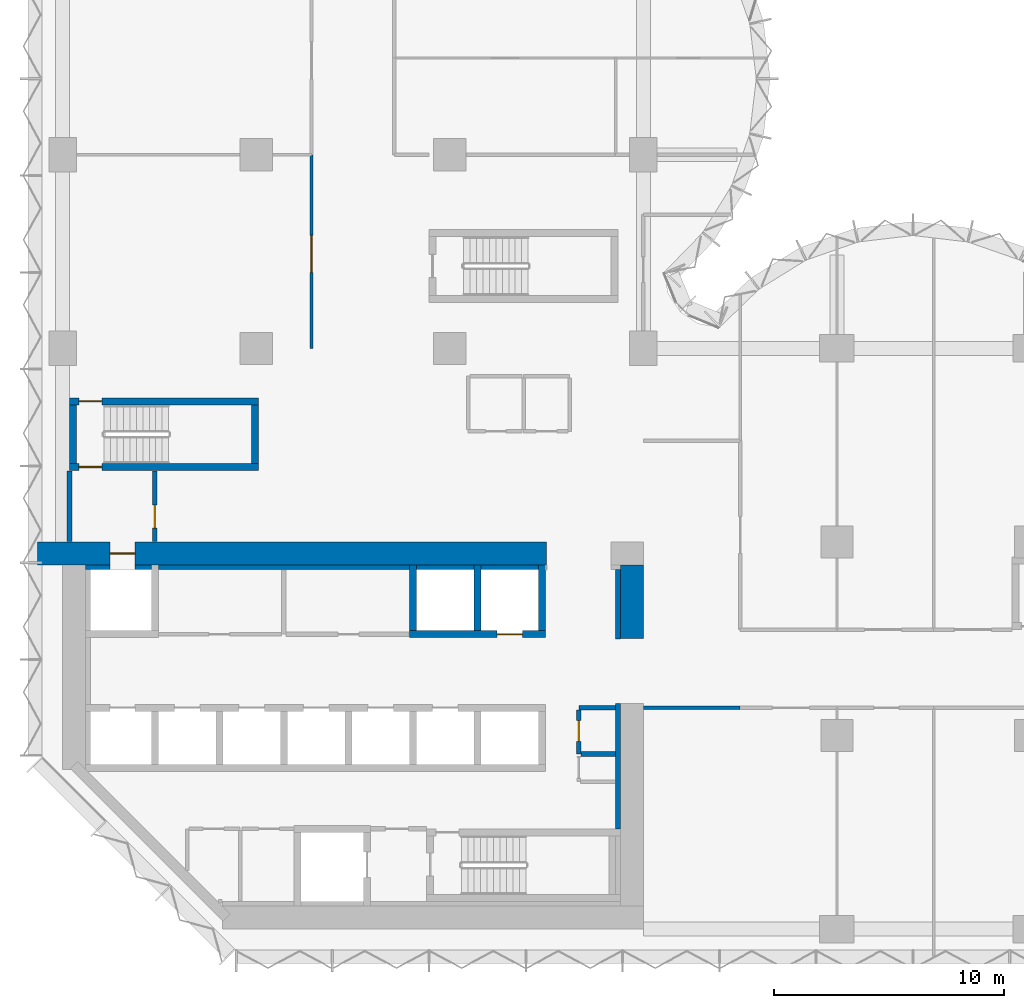
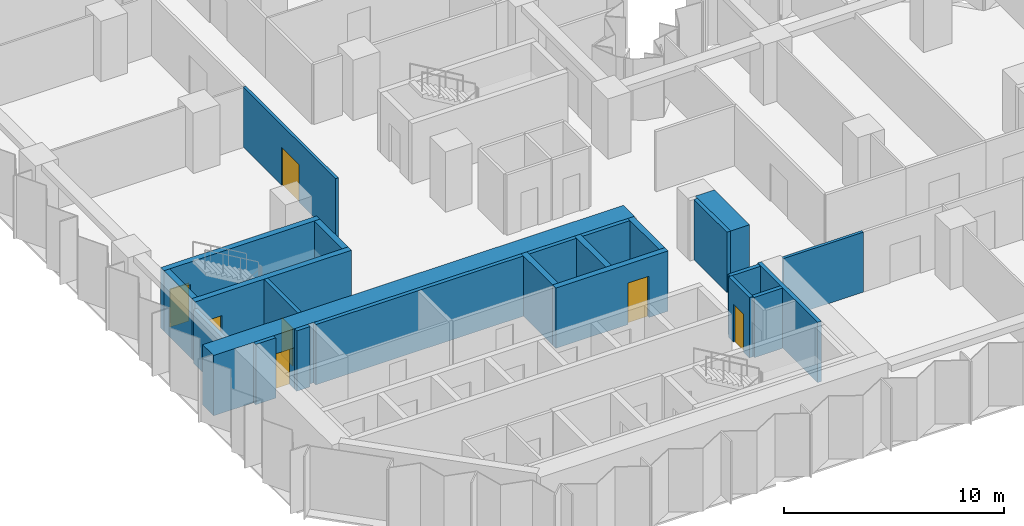
# One storey, part 8 of 15: 24 walls, 7 doors, 7 openings.
"""IFC4 building model written with IfcOpenShell, lengths in metres."""

from ifc_helpers import new_model, si_unit, direction, frame, frame_2d, origin, place, context, subcontext, project, spatial, rectangle, extrude, material, layer, layer_set, type_object, element, fill, save


model = new_model("IFC4")

# Units and contexts
model_context = context("Model", 3, precision=1e-05, world=origin(), true_north=direction((0.0, 1.0)))
body_context = subcontext(model_context, "Body", "Model", "MODEL_VIEW")
ifc_project = project(units=[si_unit("LENGTHUNIT", "METRE"), si_unit("AREAUNIT", "SQUARE_METRE"), si_unit("VOLUMEUNIT", "CUBIC_METRE"), si_unit("PLANEANGLEUNIT", "RADIAN"), si_unit("MASSUNIT", "GRAM", prefix="KILO")], contexts=[model_context])

# Site, building, storey
site_placement = place(None, origin())
site = spatial("IfcSite", under=ifc_project, at=site_placement, CompositionType="ELEMENT")
building_placement = place(site_placement, origin())
building = spatial("IfcBuilding", under=site, at=building_placement, Name="Brevane Broadcast Tower", CompositionType="ELEMENT")
storey_placement = place(building_placement, frame((0.0, 0.0, 76.10009765625)))
storey = spatial("IfcBuildingStorey", under=building, at=storey_placement, Name="L17", CompositionType="ELEMENT", Elevation=76.10009765625)

# Walls
ifc_material_1 = material(Name="Concrete C32/40", Category="concrete")
ifc_layer_1 = layer(ifc_material_1, 0.199951171875)
ifc_layer_set_1 = layer_set([ifc_layer_1], Name="Core chase wall 200 mm")
wall_type_1 = type_object("IfcWallType", Name="Core chase wall 200 mm", PredefinedType="PARTITIONING", material=ifc_layer_set_1)
wall_1_placement = place(storey_placement, frame((24.10009765625, 12.60009765625, 0.0), z_axis=(0.0, 0.0, 1.0), x_axis=(0.0, 1.0, 0.0)))
element("IfcWall", 1, at=wall_1_placement, inside=storey, type_object=wall_type_1, Name="L17 chase wall LE2", PredefinedType="PARTITIONING", context=body_context, shape_type="SweptSolid", body=[
    extrude(rectangle(XDim=3.0, YDim=0.199951171875, at=frame_2d((1.5, 0.0))), origin(), (0.0, 0.0, 1.0), 3.349853515625),
])
wall_2_placement = place(storey_placement, frame((1.0, 15.699951171875, 0.0), z_axis=(0.0, 0.0, 1.0), x_axis=(1.0, 0.0, 0.0)))
element("IfcWall", 2, at=wall_2_placement, inside=storey, type_object=wall_type_1, Name="L17 chase wall LN0", PredefinedType="PARTITIONING", context=body_context, shape_type="SweptSolid", body=[
    extrude(rectangle(XDim=1.050048828125, YDim=0.199951171875, at=frame_2d((0.52490234375, 0.0))), origin(), (0.0, 0.0, 1.0), 3.349853515625),
])
wall_3_placement = place(storey_placement, frame((3.14990234375, 15.699951171875, 0.0), z_axis=(0.0, 0.0, 1.0), x_axis=(1.0, 0.0, 0.0)))
element("IfcWall", 3, at=wall_3_placement, inside=storey, type_object=wall_type_1, Name="L17 chase wall LN1-1", PredefinedType="PARTITIONING", context=body_context, shape_type="SweptSolid", body=[
    extrude(rectangle(XDim=0.7001953125, YDim=0.199951171875, at=frame_2d((0.35009765625, 0.0))), origin(), (0.0, 0.0, 1.0), 3.349853515625),
])
wall_4_placement = place(storey_placement, frame((4.14990234375, 15.699951171875, 0.0), z_axis=(0.0, 0.0, 1.0), x_axis=(1.0, 0.0, 0.0)))
element("IfcWall", 4, at=wall_4_placement, inside=storey, type_object=wall_type_1, Name="L17 chase wall LN1-2-1", PredefinedType="PARTITIONING", context=body_context, shape_type="SweptSolid", body=[
    extrude(rectangle(XDim=10.900146484375, YDim=0.199951171875, at=frame_2d((5.4501953125, 0.0))), origin(), (0.0, 0.0, 1.0), 3.349853515625),
])
for number, where, z_axis, x_axis, name in (
    (5, (15.35009765625, 15.699951171875, 0.0), (0.0, 0.0, 1.0), (1.0, 0.0, 0.0), "L17 chase wall LN1-2-2-1"),
    (6, (18.14990234375, 15.699951171875, 0.0), (0.0, 0.0, 1.0), (1.0, 0.0, 0.0), "L17 chase wall LN1-2-2-2-1"),
):
    element("IfcWall", number, at=place(storey_placement, frame(where, z_axis=z_axis, x_axis=x_axis)), inside=storey, type_object=wall_type_1, Name=name, PredefinedType="PARTITIONING", context=body_context, shape_type="SweptSolid", body=[
        extrude(rectangle(XDim=2.5, YDim=0.199951171875, at=frame_2d((1.25, 0.0))), origin(), (0.0, 0.0, 1.0), 3.349853515625),
    ])
wall_5_placement = place(storey_placement, frame((24.10009765625, 4.35009765625, 0.0), z_axis=(0.0, 0.0, 1.0), x_axis=(0.0, 1.0, 0.0)))
element("IfcWall", 7, at=wall_5_placement, inside=storey, type_object=wall_type_1, Name="L17 chase wall LE1-2-2", PredefinedType="PARTITIONING", context=body_context, shape_type="SweptSolid", body=[
    extrude(rectangle(XDim=5.449951171875, YDim=0.199951171875, at=frame_2d((2.72509765625, 0.0))), origin(), (0.0, 0.0, 1.0), 3.349853515625),
])
ifc_material_2 = material(Name="Gypsum board on steel studs", Category="steel")
ifc_layer_2 = layer(ifc_material_2, 0.199951171875)
ifc_layer_set_2 = layer_set([ifc_layer_2], Name="Core fire partition 200 mm")
wall_type_2 = type_object("IfcWallType", Name="Core fire partition 200 mm", PredefinedType="PARTITIONING", material=ifc_layer_set_2)
wall_6_placement = place(storey_placement, frame((0.300048828125, 16.81201171875, 0.0), z_axis=(0.0, 0.0, 1.0), x_axis=(0.0, 1.0, 0.0)))
element("IfcWall", 8, at=wall_6_placement, inside=storey, type_object=wall_type_2, Name="L17 partition wall P01", PredefinedType="PARTITIONING", context=body_context, shape_type="SweptSolid", body=[
    extrude(rectangle(XDim=3.075927734375, YDim=0.199951171875, at=frame_2d((1.5380859375, 0.0))), origin(), (0.0, 0.0, 1.0), 2.97998046875),
])

# Wall, opening, door
wall_7_placement = place(storey_placement, frame((4.0, 19.887939453125, 0.0), z_axis=(0.0, 0.0, 1.0), x_axis=(0.0, -1.0, 0.0)))
wall_7 = element("IfcWall", 9, at=wall_7_placement, inside=storey, type_object=wall_type_2, Name="L17 partition wall P02", PredefinedType="PARTITIONING", context=body_context, shape_type="SweptSolid", body=[
    extrude(rectangle(XDim=3.075927734375, YDim=0.199951171875, at=frame_2d((1.5380859375, 0.0))), origin(), (0.0, 0.0, 1.0), 3.349853515625),
])
opening_1_placement = place(wall_7_placement, frame((1.488037109375, 0.0, 0.0)))
opening_1 = element("IfcOpeningElement", 10, at=opening_1_placement, cuts=wall_7, Name="Opening L17-K23", PredefinedType="OPENING", context=body_context, shape_type="SweptSolid", body=[
    extrude(rectangle(XDim=1.0, YDim=2.10009765625, at=frame_2d((0.5, 1.050048828125))), frame((0.0, 0.10986328125, 0.0), z_axis=(0.0, -1.0, 0.0), x_axis=(1.0, 0.0, 0.0)), (0.0, 0.0, 1.0), 0.219970703125),
])
ifc_material_3 = material(Name="Steel", Category="steel")
door_type_1 = type_object("IfcDoorType", Name="Stair door 1000 x 2100", OperationType="SINGLE_SWING_LEFT", PredefinedType="DOOR", material=ifc_material_3)
door_1_placement = place(opening_1_placement, origin())
door_1 = element("IfcDoor", 11, at=door_1_placement, inside=storey, type_object=door_type_1, Name="Door L17-K23", OperationType="SINGLE_SWING_LEFT", OverallHeight=2.10009765625, OverallWidth=1.0, PredefinedType="DOOR", context=body_context, shape_type="SweptSolid", body=[
    extrude(rectangle(XDim=1.0, YDim=2.10009765625, at=frame_2d((0.5, 1.050048828125))), frame((0.0, 0.02490234375, 0.0), z_axis=(0.0, -1.0, 0.0), x_axis=(1.0, 0.0, 0.0)), (0.0, 0.0, 1.0), 0.050048828125),
])
fill(opening_1, door_1)

# Wall
wall_8_placement = place(storey_placement, frame((23.988037109375, 9.60009765625, 0.0), z_axis=(0.0, 0.0, 1.0), x_axis=(-1.0, 0.0, 0.0)))
element("IfcWall", 12, at=wall_8_placement, inside=storey, type_object=wall_type_2, Name="L17 partition wall P06", PredefinedType="PARTITIONING", context=body_context, shape_type="SweptSolid", body=[
    extrude(rectangle(XDim=1.588134765625, YDim=0.199951171875, at=frame_2d((0.7939453125, 0.0))), origin(), (0.0, 0.0, 1.0), 3.349853515625),
])

# Wall, opening, door
wall_9_placement = place(storey_placement, frame((22.39990234375, 9.5, 0.0), z_axis=(0.0, 0.0, 1.0), x_axis=(0.0, -1.0, 0.0)))
wall_9 = element("IfcWall", 13, at=wall_9_placement, inside=storey, type_object=wall_type_2, Name="L17 partition wall P07", PredefinedType="PARTITIONING", context=body_context, shape_type="SweptSolid", body=[
    extrude(rectangle(XDim=1.89990234375, YDim=0.199951171875, at=frame_2d((0.949951171875, 0.0))), origin(), (0.0, 0.0, 1.0), 3.349853515625),
])
opening_2_placement = place(wall_9_placement, frame((0.449951171875, 0.0, 0.0)))
opening_2 = element("IfcOpeningElement", 14, at=opening_2_placement, cuts=wall_9, Name="Opening L17-K20", PredefinedType="OPENING", context=body_context, shape_type="SweptSolid", body=[
    extrude(rectangle(XDim=0.89990234375, YDim=2.10009765625, at=frame_2d((0.449951171875, 1.050048828125))), frame((0.0, 0.10986328125, 0.0), z_axis=(0.0, -1.0, 0.0), x_axis=(1.0, 0.0, 0.0)), (0.0, 0.0, 1.0), 0.219970703125),
])
door_type_2 = type_object("IfcDoorType", Name="Service room door 900 x 2100", OperationType="SINGLE_SWING_LEFT", PredefinedType="DOOR", material=ifc_material_3)
door_2_placement = place(opening_2_placement, origin())
door_2 = element("IfcDoor", 15, at=door_2_placement, inside=storey, type_object=door_type_2, Name="Door L17-K20", OperationType="SINGLE_SWING_RIGHT", OverallHeight=2.10009765625, OverallWidth=0.89990234375, PredefinedType="DOOR", context=body_context, shape_type="SweptSolid", body=[
    extrude(rectangle(XDim=0.89990234375, YDim=2.10009765625, at=frame_2d((0.449951171875, 1.050048828125))), frame((0.0, 0.02490234375, 0.0), z_axis=(0.0, -1.0, 0.0), x_axis=(1.0, 0.0, 0.0)), (0.0, 0.0, 1.0), 0.050048828125),
])
fill(opening_2, door_2)

# Wall
wall_10_placement = place(storey_placement, frame((22.5, 7.60009765625, 0.0), z_axis=(0.0, 0.0, 1.0), x_axis=(1.0, 0.0, 0.0)))
element("IfcWall", 16, at=wall_10_placement, inside=storey, type_object=wall_type_2, Name="L17 partition wall P08", PredefinedType="PARTITIONING", context=body_context, shape_type="SweptSolid", body=[
    extrude(rectangle(XDim=1.488037109375, YDim=0.199951171875, at=frame_2d((0.744140625, 0.0))), origin(), (0.0, 0.0, 1.0), 3.349853515625),
])

# Wall, opening, door
ifc_material_4 = material(Name="Concrete C80/95", Category="concrete")
ifc_layer_3 = layer(ifc_material_4, 1.0)
ifc_layer_set_3 = layer_set([ifc_layer_3], Name="Core wall 1000 mm C80/95")
wall_type_3 = type_object("IfcWallType", Name="Core wall 1000 mm C80/95", PredefinedType="SHEAR", material=ifc_layer_set_3)
wall_11_placement = place(storey_placement, frame((-1.10009765625, 16.300048828125, 0.0), z_axis=(0.0, 0.0, 1.0), x_axis=(1.0, 0.0, 0.0)))
wall_11 = element("IfcWall", 17, at=wall_11_placement, inside=storey, type_object=wall_type_3, Name="L17 outer wall WN1", PredefinedType="SHEAR", context=body_context, shape_type="SweptSolid", body=[
    extrude(rectangle(XDim=22.10009765625, YDim=1.0, at=frame_2d((11.050048828125, 0.0))), origin(), (0.0, 0.0, 1.0), 3.349853515625),
])
opening_3_placement = place(wall_11_placement, frame((3.14990234375, 0.0, 0.0)))
opening_3 = element("IfcOpeningElement", 18, at=opening_3_placement, cuts=wall_11, Name="Opening LD", PredefinedType="OPENING", context=body_context, shape_type="SweptSolid", body=[
    extrude(rectangle(XDim=1.10009765625, YDim=2.300048828125, at=frame_2d((0.550048828125, 1.14990234375))), frame((0.0, 0.510009765625, 0.0), z_axis=(0.0, -1.0, 0.0), x_axis=(1.0, 0.0, 0.0)), (0.0, 0.0, 1.0), 1.02001953125),
])
ifc_material_5 = material(Name="Stainless steel", Category="steel")
door_type_3 = type_object("IfcDoorType", Name="Lift landing door", OperationType="SLIDING_TO_LEFT", PredefinedType="DOOR", material=ifc_material_5)
door_3_placement = place(opening_3_placement, origin())
door_3 = element("IfcDoor", 19, at=door_3_placement, inside=storey, type_object=door_type_3, Name="Landing door FF1 L17", OperationType="SLIDING_TO_LEFT", OverallHeight=2.300048828125, OverallWidth=1.10009765625, PredefinedType="DOOR", context=body_context, shape_type="SweptSolid", body=[
    extrude(rectangle(XDim=1.10009765625, YDim=2.300048828125, at=frame_2d((0.550048828125, 1.14990234375))), frame((0.0, 0.02490234375, 0.0), z_axis=(0.0, -1.0, 0.0), x_axis=(1.0, 0.0, 0.0)), (0.0, 0.0, 1.0), 0.050048828125),
])
fill(opening_3, door_3)

# Wall
wall_12_placement = place(storey_placement, frame((24.699951171875, 12.60009765625, 0.0), z_axis=(0.0, 0.0, 1.0), x_axis=(0.0, 1.0, 0.0)))
element("IfcWall", 20, at=wall_12_placement, inside=storey, type_object=wall_type_3, Name="L17 outer wall WE2", PredefinedType="SHEAR", context=body_context, shape_type="SweptSolid", body=[
    extrude(rectangle(XDim=3.199951171875, YDim=1.0, at=frame_2d((1.60009765625, 0.0))), origin(), (0.0, 0.0, 1.0), 3.349853515625),
])

# Wall, opening, door
ifc_layer_4 = layer(ifc_material_4, 0.300048828125)
ifc_layer_set_4 = layer_set([ifc_layer_4], Name="Core wall 300 mm C80/95")
wall_type_4 = type_object("IfcWallType", Name="Core wall 300 mm C80/95", PredefinedType="SHEAR", material=ifc_layer_set_4)
wall_13_placement = place(storey_placement, frame((15.050048828125, 12.800048828125, 0.0), z_axis=(0.0, 0.0, 1.0), x_axis=(1.0, 0.0, 0.0)))
wall_13 = element("IfcWall", 21, at=wall_13_placement, inside=storey, type_object=wall_type_4, Name="L17 shaft wall SH-N152-front", PredefinedType="SHEAR", context=body_context, shape_type="SweptSolid", body=[
    extrude(rectangle(XDim=5.89990234375, YDim=0.300048828125, at=frame_2d((2.949951171875, 0.0))), origin(), (0.0, 0.0, 1.0), 3.349853515625),
])
opening_4_placement = place(wall_13_placement, frame((3.800048828125, 0.0, 0.0)))
opening_4 = element("IfcOpeningElement", 22, at=opening_4_placement, cuts=wall_13, Name="Opening LD", PredefinedType="OPENING", context=body_context, shape_type="SweptSolid", body=[
    extrude(rectangle(XDim=1.10009765625, YDim=2.300048828125, at=frame_2d((0.550048828125, 1.14990234375))), frame((0.0, 0.159912109375, 0.0), z_axis=(0.0, -1.0, 0.0), x_axis=(1.0, 0.0, 0.0)), (0.0, 0.0, 1.0), 0.320068359375),
])
door_4_placement = place(opening_4_placement, origin())
door_4 = element("IfcDoor", 23, at=door_4_placement, inside=storey, type_object=door_type_3, Name="Landing door SL1 L17", OperationType="SLIDING_TO_LEFT", OverallHeight=2.300048828125, OverallWidth=1.10009765625, PredefinedType="DOOR", context=body_context, shape_type="SweptSolid", body=[
    extrude(rectangle(XDim=1.10009765625, YDim=2.300048828125, at=frame_2d((0.550048828125, 1.14990234375))), frame((0.0, 0.02490234375, 0.0), z_axis=(0.0, -1.0, 0.0), x_axis=(1.0, 0.0, 0.0)), (0.0, 0.0, 1.0), 0.050048828125),
])
fill(opening_4, door_4)

# Walls
for number, where, z_axis, x_axis, name in (
    (24, (15.199951171875, 12.949951171875, 0.0), (0.0, 0.0, 1.0), (0.0, 1.0, 0.0), "L17 shaft wall SH-N-P152"),
    (25, (18.0, 12.949951171875, 0.0), (0.0, 0.0, 1.0), (0.0, 1.0, 0.0), "L17 shaft wall SH-N-P180"),
    (26, (20.800048828125, 12.949951171875, 0.0), (0.0, 0.0, 1.0), (0.0, 1.0, 0.0), "L17 shaft wall SH-N-P208"),
):
    element("IfcWall", number, at=place(storey_placement, frame(where, z_axis=z_axis, x_axis=x_axis)), inside=storey, type_object=wall_type_4, Name=name, PredefinedType="SHEAR", context=body_context, shape_type="SweptSolid", body=[
        extrude(rectangle(XDim=2.85009765625, YDim=0.300048828125, at=frame_2d((1.425048828125, 0.0))), origin(), (0.0, 0.0, 1.0), 3.349853515625),
    ])

# Wall, opening, door
wall_14_placement = place(storey_placement, frame((8.5, 20.050048828125, 0.0), z_axis=(0.0, 0.0, 1.0), x_axis=(-1.0, 0.0, 0.0)))
wall_14 = element("IfcWall", 27, at=wall_14_placement, inside=storey, type_object=wall_type_4, Name="L17 stair wall ST-1-S", PredefinedType="SHEAR", context=body_context, shape_type="SweptSolid", body=[
    extrude(rectangle(XDim=8.199951171875, YDim=0.300048828125, at=frame_2d((4.10009765625, 0.0))), origin(), (0.0, 0.0, 1.0), 3.349853515625),
])
opening_5_placement = place(wall_14_placement, frame((6.800048828125, 0.0, 0.0)))
opening_5 = element("IfcOpeningElement", 28, at=opening_5_placement, cuts=wall_14, Name="Opening L17-K10", PredefinedType="OPENING", context=body_context, shape_type="SweptSolid", body=[
    extrude(rectangle(XDim=1.0, YDim=2.10009765625, at=frame_2d((0.5, 1.050048828125))), frame((0.0, 0.159912109375, 0.0), z_axis=(0.0, -1.0, 0.0), x_axis=(1.0, 0.0, 0.0)), (0.0, 0.0, 1.0), 0.320068359375),
])
door_5_placement = place(opening_5_placement, origin())
door_5 = element("IfcDoor", 29, at=door_5_placement, inside=storey, type_object=door_type_1, Name="Door L17-K10", OperationType="SINGLE_SWING_RIGHT", OverallHeight=2.10009765625, OverallWidth=1.0, PredefinedType="DOOR", context=body_context, shape_type="SweptSolid", body=[
    extrude(rectangle(XDim=1.0, YDim=2.10009765625, at=frame_2d((0.5, 1.050048828125))), frame((0.0, 0.02490234375, 0.0), z_axis=(0.0, -1.0, 0.0), x_axis=(1.0, 0.0, 0.0)), (0.0, 0.0, 1.0), 0.050048828125),
])
fill(opening_5, door_5)

wall_15_placement = place(storey_placement, frame((0.300048828125, 22.89990234375, 0.0), z_axis=(0.0, 0.0, 1.0), x_axis=(1.0, 0.0, 0.0)))
wall_15 = element("IfcWall", 30, at=wall_15_placement, inside=storey, type_object=wall_type_4, Name="L17 stair wall ST-1-N", PredefinedType="SHEAR", context=body_context, shape_type="SweptSolid", body=[
    extrude(rectangle(XDim=8.199951171875, YDim=0.300048828125, at=frame_2d((4.10009765625, 0.0))), origin(), (0.0, 0.0, 1.0), 3.349853515625),
])
opening_6_placement = place(wall_15_placement, frame((0.39990234375, 0.0, 0.0)))
opening_6 = element("IfcOpeningElement", 31, at=opening_6_placement, cuts=wall_15, Name="Opening L17-K11", PredefinedType="OPENING", context=body_context, shape_type="SweptSolid", body=[
    extrude(rectangle(XDim=1.0, YDim=2.10009765625, at=frame_2d((0.5, 1.050048828125))), frame((0.0, 0.159912109375, 0.0), z_axis=(0.0, -1.0, 0.0), x_axis=(1.0, 0.0, 0.0)), (0.0, 0.0, 1.0), 0.320068359375),
])
door_6_placement = place(opening_6_placement, origin())
door_6 = element("IfcDoor", 32, at=door_6_placement, inside=storey, type_object=door_type_1, Name="Door L17-K11", OperationType="SINGLE_SWING_LEFT", OverallHeight=2.10009765625, OverallWidth=1.0, PredefinedType="DOOR", context=body_context, shape_type="SweptSolid", body=[
    extrude(rectangle(XDim=1.0, YDim=2.10009765625, at=frame_2d((0.5, 1.050048828125))), frame((0.0, 0.02490234375, 0.0), z_axis=(0.0, -1.0, 0.0), x_axis=(1.0, 0.0, 0.0)), (0.0, 0.0, 1.0), 0.050048828125),
])
fill(opening_6, door_6)

# Walls
for number, where, z_axis, x_axis, name in (
    (33, (0.449951171875, 20.199951171875, 0.0), (0.0, 0.0, 1.0), (0.0, 1.0, 0.0), "L17 stair wall ST-1-W"),
    (34, (8.35009765625, 20.199951171875, 0.0), (0.0, 0.0, 1.0), (0.0, 1.0, 0.0), "L17 stair wall ST-1-E"),
):
    element("IfcWall", number, at=place(storey_placement, frame(where, z_axis=z_axis, x_axis=x_axis)), inside=storey, type_object=wall_type_4, Name=name, PredefinedType="SHEAR", context=body_context, shape_type="SweptSolid", body=[
        extrude(rectangle(XDim=2.550048828125, YDim=0.300048828125, at=frame_2d((1.27490234375, 0.0))), origin(), (0.0, 0.0, 1.0), 3.349853515625),
    ])
ifc_material_6 = material(Name="Gypsum board partition")
ifc_layer_5 = layer(ifc_material_6, 0.14990234375)
ifc_layer_set_5 = layer_set([ifc_layer_5], Name="PARTITION 150 EI 60")
wall_type_5 = type_object("IfcWallType", Name="PARTITION 150 EI 60", PredefinedType="PARTITIONING", material=ifc_layer_set_5)
wall_16_placement = place(storey_placement, frame((29.39990234375, 9.60009765625, 0.0), z_axis=(0.0, 0.0, 1.0), x_axis=(-1.0, 0.0, 0.0)))
element("IfcWall", 35, at=wall_16_placement, inside=storey, type_object=wall_type_5, Name="Partition G04-002", PredefinedType="PARTITIONING", context=body_context, shape_type="SweptSolid", body=[
    extrude(rectangle(XDim=4.199951171875, YDim=0.14990234375, at=frame_2d((2.10009765625, 0.0))), origin(), (0.0, 0.0, 1.0), 3.329833984375),
])

# Wall, opening, door
wall_17_placement = place(storey_placement, frame((10.800048828125, 25.199951171875, 0.0), z_axis=(0.0, 0.0, 1.0), x_axis=(0.0, 1.0, 0.0)))
wall_17 = element("IfcWall", 36, at=wall_17_placement, inside=storey, type_object=wall_type_5, Name="Partition G04-037", PredefinedType="PARTITIONING", context=body_context, shape_type="SweptSolid", body=[
    extrude(rectangle(XDim=8.400146484375, YDim=0.14990234375, at=frame_2d((4.2001953125, 0.0))), origin(), (0.0, 0.0, 1.0), 3.329833984375),
])
opening_7_placement = place(wall_17_placement, frame((3.300048828125, 0.0, 0.0)))
opening_7 = element("IfcOpeningElement", 37, at=opening_7_placement, cuts=wall_17, Name="Opening D10-015", PredefinedType="OPENING", context=body_context, shape_type="SweptSolid", body=[
    extrude(rectangle(XDim=1.60009765625, YDim=2.10009765625, at=frame_2d((0.800048828125, 1.050048828125))), frame((0.0, 0.0849609375, 0.0), z_axis=(0.0, -1.0, 0.0), x_axis=(1.0, 0.0, 0.0)), (0.0, 0.0, 1.0), 0.169921875),
])
ifc_material_7 = material(Name="Fire-rated timber door leaf", Category="wood")
door_type_4 = type_object("IfcDoorType", Name="DOOR DOUBLE 1600 FD30S", OperationType="DOUBLE_DOOR_SINGLE_SWING", PredefinedType="DOOR", material=ifc_material_7)
door_7_placement = place(opening_7_placement, origin())
door_7 = element("IfcDoor", 38, at=door_7_placement, inside=storey, type_object=door_type_4, Name="Door D10-015", OperationType="DOUBLE_DOOR_SINGLE_SWING", OverallHeight=2.10009765625, OverallWidth=1.60009765625, PredefinedType="DOOR", context=body_context, shape_type="SweptSolid", body=[
    extrude(rectangle(XDim=1.60009765625, YDim=2.10009765625, at=frame_2d((0.800048828125, 1.050048828125))), frame((0.0, 0.02490234375, 0.0), z_axis=(0.0, -1.0, 0.0), x_axis=(1.0, 0.0, 0.0)), (0.0, 0.0, 1.0), 0.050048828125),
])
fill(opening_7, door_7)

save(model, "model.ifc")
